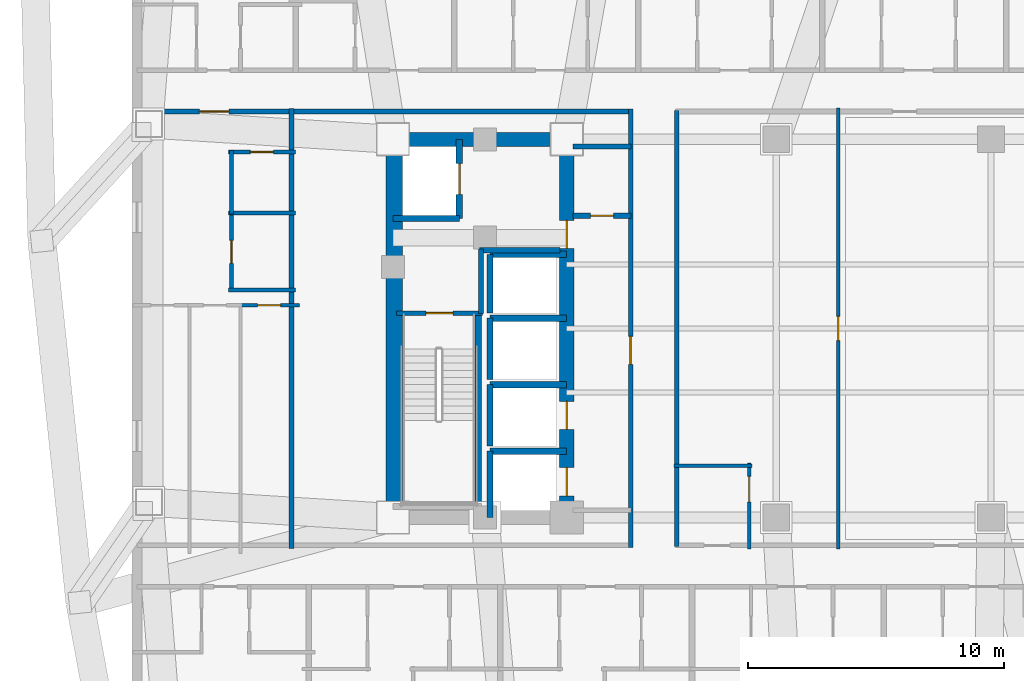
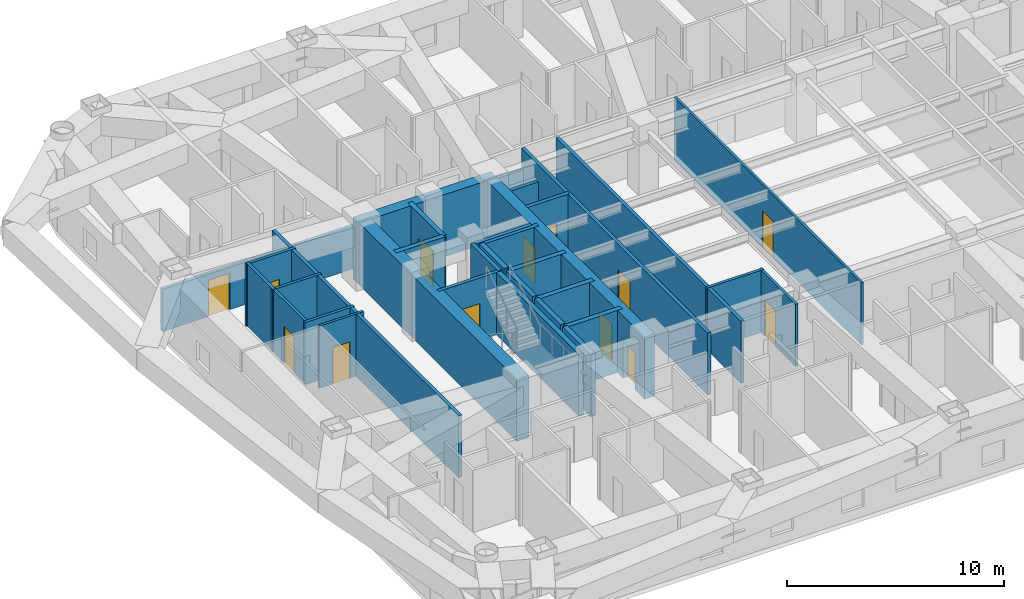
# One storey, part 5 of 14: 32 walls, 13 doors, 13 openings.
"""IFC4 building model written with IfcOpenShell, lengths in metres."""

from ifc_helpers import new_model, si_unit, direction, frame, frame_2d, origin, place, context, subcontext, project, spatial, rectangle, extrude, material, layer, layer_set, type_object, element, fill, save


model = new_model("IFC4")

# Units and contexts
model_context = context("Model", 3, precision=1e-05, world=origin(), true_north=direction((0.0, 1.0)))
body_context = subcontext(model_context, "Body", "Model", "MODEL_VIEW")
ifc_project = project(units=[si_unit("LENGTHUNIT", "METRE"), si_unit("AREAUNIT", "SQUARE_METRE"), si_unit("VOLUMEUNIT", "CUBIC_METRE"), si_unit("PLANEANGLEUNIT", "RADIAN"), si_unit("MASSUNIT", "GRAM", prefix="KILO")], contexts=[model_context])

# Site, building, storey
site_placement = place(None, origin())
site = spatial("IfcSite", under=ifc_project, at=site_placement, CompositionType="ELEMENT")
building_placement = place(site_placement, origin())
building = spatial("IfcBuilding", under=site, at=building_placement, Name="Voryun Gate Residences", CompositionType="ELEMENT")
storey_placement = place(building_placement, frame((0.0, 0.0, 136.5)))
storey = spatial("IfcBuildingStorey", under=building, at=storey_placement, Name="L33", CompositionType="ELEMENT", Elevation=136.5)

# Wall
ifc_material_1 = material(Name="Concrete C60/75", Category="concrete")
ifc_layer_1 = layer(ifc_material_1, 0.550048828125, Name="CW_CORE_550")
ifc_layer_set_1 = layer_set([ifc_layer_1], Name="Concrete C60/75")
wall_type_1 = type_object("IfcWallType", Name="CW_CORE_550", PredefinedType="SHEAR", material=ifc_layer_set_1)
wall_1_placement = place(storey_placement, frame((-19.47509765625, 7.39990234375, 0.0), z_axis=(0.0, 0.0, 1.0), x_axis=(1.0, 0.0, 0.0)))
element("IfcWall", 1, at=wall_1_placement, inside=storey, type_object=wall_type_1, Name="L33 Core shear wall CW-L33-WN", PredefinedType="SHEAR", context=body_context, shape_type="SweptSolid", body=[
    extrude(rectangle(XDim=7.35009765625, YDim=0.550048828125, at=frame_2d((3.675048828125, 0.0))), origin(), (0.0, 0.0, 1.0), 3.5),
])

# Wall, openings, doors
wall_2_placement = place(storey_placement, frame((-12.39990234375, -7.39990234375, 0.0), z_axis=(0.0, 0.0, 1.0), x_axis=(0.0, 1.0, 0.0)))
wall_2 = element("IfcWall", 2, at=wall_2_placement, inside=storey, type_object=wall_type_1, Name="L33 Core shear wall CW-L33-WE", PredefinedType="SHEAR", context=body_context, shape_type="SweptSolid", body=[
    extrude(rectangle(XDim=14.7998046875, YDim=0.550048828125, at=frame_2d((7.39990234375, 0.0))), origin(), (0.0, 0.0, 1.0), 3.5),
])
opening_1_placement = place(wall_2_placement, frame((0.85009765625, 0.0, 0.0)))
opening_1 = element("IfcOpeningElement", 3, at=opening_1_placement, cuts=wall_2, Name="Opening LD2", PredefinedType="OPENING", context=body_context, shape_type="SweptSolid", body=[
    extrude(rectangle(XDim=1.10009765625, YDim=2.050048828125, at=frame_2d((0.550048828125, 1.02490234375))), frame((0.0, 0.284912109375, 0.0), z_axis=(0.0, -1.0, 0.0), x_axis=(1.0, 0.0, 0.0)), (0.0, 0.0, 1.0), 0.570068359375),
])
opening_2_placement = place(wall_2_placement, frame((3.449951171875, 0.0, 0.0)))
opening_2 = element("IfcOpeningElement", 4, at=opening_2_placement, cuts=wall_2, Name="Opening LD2", PredefinedType="OPENING", context=body_context, shape_type="SweptSolid", body=[
    extrude(rectangle(XDim=1.10009765625, YDim=2.050048828125, at=frame_2d((0.550048828125, 1.02490234375))), frame((0.0, 0.284912109375, 0.0), z_axis=(0.0, -1.0, 0.0), x_axis=(1.0, 0.0, 0.0)), (0.0, 0.0, 1.0), 0.570068359375),
])
opening_3_placement = place(wall_2_placement, frame((10.530029296875, 0.0, 0.0)))
opening_3 = element("IfcOpeningElement", 5, at=opening_3_placement, cuts=wall_2, Name="Opening D-FD60-2", PredefinedType="OPENING", context=body_context, shape_type="SweptSolid", body=[
    extrude(rectangle(XDim=1.10009765625, YDim=2.050048828125, at=frame_2d((0.550048828125, 1.02490234375))), frame((0.0, 0.284912109375, 0.0), z_axis=(0.0, -1.0, 0.0), x_axis=(1.0, 0.0, 0.0)), (0.0, 0.0, 1.0), 0.570068359375),
])
ifc_material_2 = material(Name="Painted steel fire door", Category="steel")
door_type_1 = type_object("IfcDoorType", Name="DR_FD60_FFLOB_1100", OperationType="NOTDEFINED", PredefinedType="DOOR", material=ifc_material_2)
door_1_placement = place(opening_3_placement, origin())
door_1 = element("IfcDoor", 6, at=door_1_placement, inside=storey, type_object=door_type_1, Name="Door DR-L33-CLOB-W", OperationType="SINGLE_SWING_LEFT", OverallHeight=2.050048828125, OverallWidth=1.10009765625, PredefinedType="DOOR", context=body_context, shape_type="SweptSolid", body=[
    extrude(rectangle(XDim=1.10009765625, YDim=2.050048828125, at=frame_2d((0.550048828125, 1.02490234375))), frame((0.0, 0.02490234375, 0.0), z_axis=(0.0, -1.0, 0.0), x_axis=(1.0, 0.0, 0.0)), (0.0, 0.0, 1.0), 0.050048828125),
])
fill(opening_3, door_1)
ifc_material_3 = material(Name="Anodised aluminium", Category="aluminium")
door_type_2 = type_object("IfcDoorType", Name="DR_LD_PASS_1100", OperationType="NOTDEFINED", PredefinedType="DOOR", material=ifc_material_3)
door_2_placement = place(opening_1_placement, origin())
door_2 = element("IfcDoor", 7, at=door_2_placement, inside=storey, type_object=door_type_2, Name="Lift EL-P1 sliding landing door L33", OperationType="SLIDING_TO_LEFT", OverallHeight=2.050048828125, OverallWidth=1.10009765625, PredefinedType="DOOR", context=body_context, shape_type="SweptSolid", body=[
    extrude(rectangle(XDim=1.10009765625, YDim=2.050048828125, at=frame_2d((0.550048828125, 1.02490234375))), frame((0.0, 0.02490234375, 0.0), z_axis=(0.0, -1.0, 0.0), x_axis=(1.0, 0.0, 0.0)), (0.0, 0.0, 1.0), 0.050048828125),
])
fill(opening_1, door_2)
door_3_placement = place(opening_2_placement, origin())
door_3 = element("IfcDoor", 8, at=door_3_placement, inside=storey, type_object=door_type_2, Name="Lift EL-P2 sliding landing door L33", OperationType="SLIDING_TO_LEFT", OverallHeight=2.050048828125, OverallWidth=1.10009765625, PredefinedType="DOOR", context=body_context, shape_type="SweptSolid", body=[
    extrude(rectangle(XDim=1.10009765625, YDim=2.050048828125, at=frame_2d((0.550048828125, 1.02490234375))), frame((0.0, 0.02490234375, 0.0), z_axis=(0.0, -1.0, 0.0), x_axis=(1.0, 0.0, 0.0)), (0.0, 0.0, 1.0), 0.050048828125),
])
fill(opening_2, door_3)

# Wall
ifc_material_4 = material(Name="Concrete C60/75", Category="concrete")
ifc_layer_2 = layer(ifc_material_4, 0.64990234375, Name="CW_CORE_650")
ifc_layer_set_2 = layer_set([ifc_layer_2], Name="Concrete C60/75")
wall_type_2 = type_object("IfcWallType", Name="CW_CORE_650", PredefinedType="SHEAR", material=ifc_layer_set_2)
wall_3_placement = place(storey_placement, frame((-19.14501953125, -7.39990234375, 0.0), z_axis=(0.0, 0.0, 1.0), x_axis=(0.0, 1.0, 0.0)))
element("IfcWall", 9, at=wall_3_placement, inside=storey, type_object=wall_type_2, Name="L33 Core shear wall CW-L33-WW", PredefinedType="SHEAR", context=body_context, shape_type="SweptSolid", body=[
    extrude(rectangle(XDim=14.7998046875, YDim=0.64990234375, at=frame_2d((7.39990234375, 0.0))), origin(), (0.0, 0.0, 1.0), 3.5),
])

# Wall, opening, door
ifc_material_5 = material(Name="Gypsum acoustic fireboard")
ifc_layer_3 = layer(ifc_material_5, 0.179931640625, Name="W_CORR_RATED_180")
ifc_layer_set_3 = layer_set([ifc_layer_3], Name="Gypsum acoustic fireboard")
wall_type_3 = type_object("IfcWallType", Name="W_CORR_RATED_180", PredefinedType="PARTITIONING", material=ifc_layer_set_3)
wall_4_placement = place(storey_placement, frame((-19.06005859375, 0.60009765625, 0.0), z_axis=(0.0, 0.0, 1.0), x_axis=(1.0, 0.0, 0.0)))
wall_4 = element("IfcWall", 10, at=wall_4_placement, inside=storey, type_object=wall_type_3, Name="Partition wall WP-L33-STV-W", PredefinedType="PARTITIONING", context=body_context, shape_type="SweptSolid", body=[
    extrude(rectangle(XDim=3.360107421875, YDim=0.179931640625, at=frame_2d((1.68017578125, 0.0))), origin(), (0.0, 0.0, 1.0), 3.5),
])
opening_4_placement = place(wall_4_placement, frame((1.155029296875, 0.0, 0.0)))
opening_4 = element("IfcOpeningElement", 11, at=opening_4_placement, cuts=wall_4, Name="Opening D-FD60-1", PredefinedType="OPENING", context=body_context, shape_type="SweptSolid", body=[
    extrude(rectangle(XDim=1.050048828125, YDim=2.050048828125, at=frame_2d((0.52490234375, 1.02490234375))), frame((0.0, 0.099853515625, 0.0), z_axis=(0.0, -1.0, 0.0), x_axis=(1.0, 0.0, 0.0)), (0.0, 0.0, 1.0), 0.199951171875),
])
ifc_material_6 = material(Name="Painted steel fire door", Category="steel")
door_type_3 = type_object("IfcDoorType", Name="DR_FD60_STAIR_1050", OperationType="NOTDEFINED", PredefinedType="DOOR", material=ifc_material_6)
door_4_placement = place(opening_4_placement, origin())
door_4 = element("IfcDoor", 12, at=door_4_placement, inside=storey, type_object=door_type_3, Name="Door DR-L33-ST-W", OperationType="SINGLE_SWING_LEFT", OverallHeight=2.050048828125, OverallWidth=1.050048828125, PredefinedType="DOOR", context=body_context, shape_type="SweptSolid", body=[
    extrude(rectangle(XDim=1.050048828125, YDim=2.050048828125, at=frame_2d((0.52490234375, 1.02490234375))), frame((0.0, 0.02490234375, 0.0), z_axis=(0.0, -1.0, 0.0), x_axis=(1.0, 0.0, 0.0)), (0.0, 0.0, 1.0), 0.050048828125),
])
fill(opening_4, door_4)

# Wall
wall_5_placement = place(storey_placement, frame((-12.14990234375, 7.1201171875, 0.0), z_axis=(0.0, 0.0, 1.0), x_axis=(1.0, 0.0, 0.0)))
element("IfcWall", 13, at=wall_5_placement, inside=storey, type_object=wall_type_3, Name="Partition wall WP-L33-PLBN-W", PredefinedType="PARTITIONING", context=body_context, shape_type="SweptSolid", body=[
    extrude(rectangle(XDim=2.27001953125, YDim=0.179931640625, at=frame_2d((1.135009765625, 0.0))), origin(), (0.0, 0.0, 1.0), 2.5400390625),
])

# Wall, opening, door
wall_6_placement = place(storey_placement, frame((-9.89990234375, -8.580078125, 0.0), z_axis=(0.0, 0.0, 1.0), x_axis=(0.0, 1.0, 0.0)))
wall_6 = element("IfcWall", 14, at=wall_6_placement, inside=storey, type_object=wall_type_3, Name="Partition wall WP-L33-PLBW-FULL", PredefinedType="PARTITIONING", context=body_context, shape_type="SweptSolid", body=[
    extrude(rectangle(XDim=17.16015625, YDim=0.179931640625, at=frame_2d((8.580078125, 0.0))), origin(), (0.0, 0.0, 1.0), 3.5),
])
opening_5_placement = place(wall_6_placement, frame((7.172119140625, 0.0, 0.0)))
opening_5 = element("IfcOpeningElement", 15, at=opening_5_placement, cuts=wall_6, Name="Opening D-FD60-2", PredefinedType="OPENING", context=body_context, shape_type="SweptSolid", body=[
    extrude(rectangle(XDim=1.10009765625, YDim=2.050048828125, at=frame_2d((0.550048828125, 1.02490234375))), frame((0.0, 0.099853515625, 0.0), z_axis=(0.0, -1.0, 0.0), x_axis=(1.0, 0.0, 0.0)), (0.0, 0.0, 1.0), 0.199951171875),
])
door_5_placement = place(opening_5_placement, origin())
door_5 = element("IfcDoor", 16, at=door_5_placement, inside=storey, type_object=door_type_1, Name="Door DR-L33-PLBW-COR", OperationType="SINGLE_SWING_LEFT", OverallHeight=2.050048828125, OverallWidth=1.10009765625, PredefinedType="DOOR", context=body_context, shape_type="SweptSolid", body=[
    extrude(rectangle(XDim=1.10009765625, YDim=2.050048828125, at=frame_2d((0.550048828125, 1.02490234375))), frame((0.0, 0.02490234375, 0.0), z_axis=(0.0, -1.0, 0.0), x_axis=(1.0, 0.0, 0.0)), (0.0, 0.0, 1.0), 0.050048828125),
])
fill(opening_5, door_5)

wall_7_placement = place(storey_placement, frame((-29.2099609375, 8.489990234375, 0.0), z_axis=(0.0, 0.0, 1.0), x_axis=(1.0, 0.0, 0.0)))
wall_7 = element("IfcWall", 17, at=wall_7_placement, inside=storey, type_object=wall_type_3, Name="Partition wall WP-L33-CWING-WN", PredefinedType="PARTITIONING", context=body_context, shape_type="SweptSolid", body=[
    extrude(rectangle(XDim=19.330078125, YDim=0.179931640625, at=frame_2d((9.6650390625, 0.0))), origin(), (0.0, 0.0, 1.0), 2.389892578125),
])
opening_6_placement = place(wall_7_placement, frame((2.4404296875, 0.0, 0.0)))
opening_6 = element("IfcOpeningElement", 18, at=opening_6_placement, cuts=wall_7, Name="Opening D-UNIT-1", PredefinedType="OPENING", context=body_context, shape_type="SweptSolid", body=[
    extrude(rectangle(XDim=1.14990234375, YDim=2.050048828125, at=frame_2d((0.574951171875, 1.02490234375))), frame((0.0, 0.099853515625, 0.0), z_axis=(0.0, -1.0, 0.0), x_axis=(1.0, 0.0, 0.0)), (0.0, 0.0, 1.0), 0.199951171875),
])
ifc_material_7 = material(Name="Armoured timber-clad fire door", Category="wood")
door_type_4 = type_object("IfcDoorType", Name="DR_UNIT_ENTRY_1150", OperationType="NOTDEFINED", PredefinedType="DOOR", material=ifc_material_7)
door_6_placement = place(opening_6_placement, origin())
door_6 = element("IfcDoor", 19, at=door_6_placement, inside=storey, type_object=door_type_4, Name="Door DR-L33-WE1N", OperationType="SINGLE_SWING_LEFT", OverallHeight=2.050048828125, OverallWidth=1.14990234375, PredefinedType="DOOR", context=body_context, shape_type="SweptSolid", body=[
    extrude(rectangle(XDim=1.14990234375, YDim=2.050048828125, at=frame_2d((0.574951171875, 1.02490234375))), frame((0.0, 0.02490234375, 0.0), z_axis=(0.0, -1.0, 0.0), x_axis=(1.0, 0.0, 0.0)), (0.0, 0.0, 1.0), 0.050048828125),
])
fill(opening_6, door_6)

# Walls
wall_8_placement = place(storey_placement, frame((-8.10009765625, -8.530029296875, 0.0), z_axis=(0.0, 0.0, 1.0), x_axis=(0.0, 1.0, 0.0)))
element("IfcWall", 20, at=wall_8_placement, inside=storey, type_object=wall_type_3, Name="Partition wall WP-L33-Z1W", PredefinedType="PARTITIONING", context=body_context, shape_type="SweptSolid", body=[
    extrude(rectangle(XDim=17.06005859375, YDim=0.179931640625, at=frame_2d((8.530029296875, 0.0))), origin(), (0.0, 0.0, 1.0), 3.5),
])
wall_9_placement = place(storey_placement, frame((-23.169921875, -8.610107421875, 0.0), z_axis=(0.0, 0.0, 1.0), x_axis=(0.0, 1.0, 0.0)))
element("IfcWall", 21, at=wall_9_placement, inside=storey, type_object=wall_type_3, Name="Partition wall WP-L33-WCOR", PredefinedType="PARTITIONING", context=body_context, shape_type="SweptSolid", body=[
    extrude(rectangle(XDim=17.22021484375, YDim=0.179931640625, at=frame_2d((8.610107421875, 0.0))), origin(), (0.0, 0.0, 1.0), 3.5),
])
ifc_material_8 = material(Name="Concrete C40/50", Category="concrete")
ifc_layer_4 = layer(ifc_material_8, 0.199951171875, Name="W_FF_LOBBY_200")
ifc_layer_set_4 = layer_set([ifc_layer_4], Name="Concrete C40/50")
wall_type_4 = type_object("IfcWallType", Name="W_FF_LOBBY_200", PredefinedType="PARTITIONING", material=ifc_layer_set_4)
wall_10_placement = place(storey_placement, frame((-15.760009765625, 0.580078125, 0.0), z_axis=(0.0, 0.0, 1.0), x_axis=(0.0, 1.0, 0.0)))
element("IfcWall", 22, at=wall_10_placement, inside=storey, type_object=wall_type_4, Name="Partition wall WP-L33-FFP0-W", PredefinedType="PARTITIONING", context=body_context, shape_type="SweptSolid", body=[
    extrude(rectangle(XDim=2.52001953125, YDim=0.199951171875, at=frame_2d((1.260009765625, 0.0))), origin(), (0.0, 0.0, 1.0), 3.5),
])
wall_11_placement = place(storey_placement, frame((-15.820068359375, 3.06005859375, 0.0), z_axis=(0.0, 0.0, 1.0), x_axis=(1.0, 0.0, 0.0)))
element("IfcWall", 23, at=wall_11_placement, inside=storey, type_object=wall_type_4, Name="Partition wall WP-L33-FFPS-W", PredefinedType="PARTITIONING", context=body_context, shape_type="SweptSolid", body=[
    extrude(rectangle(XDim=3.16015625, YDim=0.199951171875, at=frame_2d((1.580078125, 0.0))), origin(), (0.0, 0.0, 1.0), 3.5),
])

# Wall, opening, door
wall_12_placement = place(storey_placement, frame((-12.14990234375, 4.409912109375, 0.0), z_axis=(0.0, 0.0, 1.0), x_axis=(1.0, 0.0, 0.0)))
wall_12 = element("IfcWall", 24, at=wall_12_placement, inside=storey, type_object=wall_type_4, Name="Partition wall WP-L33-CSFLKS-W", PredefinedType="PARTITIONING", context=body_context, shape_type="SweptSolid", body=[
    extrude(rectangle(XDim=2.27001953125, YDim=0.199951171875, at=frame_2d((1.135009765625, 0.0))), origin(), (0.0, 0.0, 1.0), 3.5),
])
opening_7_placement = place(wall_12_placement, frame((0.68505859375, 0.0, 0.0)))
opening_7 = element("IfcOpeningElement", 25, at=opening_7_placement, cuts=wall_12, Name="Opening D-FD60-4", PredefinedType="OPENING", context=body_context, shape_type="SweptSolid", body=[
    extrude(rectangle(XDim=0.89990234375, YDim=2.050048828125, at=frame_2d((0.449951171875, 1.02490234375))), frame((0.0, 0.110107421875, 0.0), z_axis=(0.0, -1.0, 0.0), x_axis=(1.0, 0.0, 0.0)), (0.0, 0.0, 1.0), 0.219970703125),
])
ifc_material_9 = material(Name="Painted steel fire door", Category="steel")
door_type_5 = type_object("IfcDoorType", Name="DR_FD60_RISER_900", OperationType="NOTDEFINED", PredefinedType="DOOR", material=ifc_material_9)
door_7_placement = place(opening_7_placement, origin())
door_7 = element("IfcDoor", 26, at=door_7_placement, inside=storey, type_object=door_type_5, Name="Door DR-L33-CSFLK-W", OperationType="SINGLE_SWING_LEFT", OverallHeight=2.050048828125, OverallWidth=0.89990234375, PredefinedType="DOOR", context=body_context, shape_type="SweptSolid", body=[
    extrude(rectangle(XDim=0.89990234375, YDim=2.050048828125, at=frame_2d((0.449951171875, 1.02490234375))), frame((0.0, 0.02490234375, 0.0), z_axis=(0.0, -1.0, 0.0), x_axis=(1.0, 0.0, 0.0)), (0.0, 0.0, 1.0), 0.050048828125),
])
fill(opening_7, door_7)

# Walls
ifc_material_10 = material(Name="Concrete C50/60", Category="concrete")
ifc_layer_5 = layer(ifc_material_10, 0.25, Name="W_SHAFT_RC250")
ifc_layer_set_5 = layer_set([ifc_layer_5], Name="Concrete C50/60")
wall_type_5 = type_object("IfcWallType", Name="W_SHAFT_RC250", PredefinedType="SOLIDWALL", material=ifc_layer_set_5)
wall_13_placement = place(storey_placement, frame((-15.860107421875, -7.0849609375, 0.0), z_axis=(0.0, 0.0, 1.0), x_axis=(0.0, 1.0, 0.0)))
element("IfcWall", 27, at=wall_13_placement, inside=storey, type_object=wall_type_5, Name="L33 Stair shaft structural wall W-STR", PredefinedType="SOLIDWALL", context=body_context, shape_type="SweptSolid", body=[
    extrude(rectangle(XDim=7.68505859375, YDim=0.25, at=frame_2d((3.842529296875, 0.0))), origin(), (0.0, 0.0, 1.0), 3.5),
])
wall_14_placement = place(storey_placement, frame((-19.199951171875, 4.300048828125, 0.0), z_axis=(0.0, 0.0, 1.0), x_axis=(1.0, 0.0, 0.0)))
element("IfcWall", 28, at=wall_14_placement, inside=storey, type_object=wall_type_5, Name="Lift shaft wall WSH-L33-EL-FF-W1-S", PredefinedType="SOLIDWALL", context=body_context, shape_type="SweptSolid", body=[
    extrude(rectangle(XDim=2.599853515625, YDim=0.25, at=frame_2d((1.2998046875, 0.0))), origin(), (0.0, 0.0, 1.0), 3.5),
])

# Wall, opening, door
wall_15_placement = place(storey_placement, frame((-16.60009765625, 4.300048828125, 0.0), z_axis=(0.0, 0.0, 1.0), x_axis=(0.0, 1.0, 0.0)))
wall_15 = element("IfcWall", 29, at=wall_15_placement, inside=storey, type_object=wall_type_5, Name="Lift shaft wall WSH-L33-EL-FF-W1-E", PredefinedType="SOLIDWALL", context=body_context, shape_type="SweptSolid", body=[
    extrude(rectangle(XDim=3.099853515625, YDim=0.25, at=frame_2d((1.5498046875, 0.0))), origin(), (0.0, 0.0, 1.0), 3.5),
])
opening_8_placement = place(wall_15_placement, frame((0.949951171875, 0.0, 0.0)))
opening_8 = element("IfcOpeningElement", 30, at=opening_8_placement, cuts=wall_15, Name="Opening LD1", PredefinedType="OPENING", context=body_context, shape_type="SweptSolid", body=[
    extrude(rectangle(XDim=1.199951171875, YDim=2.050048828125, at=frame_2d((0.60009765625, 1.02490234375))), frame((0.0, 0.135009765625, 0.0), z_axis=(0.0, -1.0, 0.0), x_axis=(1.0, 0.0, 0.0)), (0.0, 0.0, 1.0), 0.27001953125),
])
ifc_material_11 = material(Name="Anodised aluminium", Category="aluminium")
door_type_6 = type_object("IfcDoorType", Name="DR_LD_FF_1200", OperationType="NOTDEFINED", PredefinedType="DOOR", material=ifc_material_11)
door_8_placement = place(opening_8_placement, origin())
door_8 = element("IfcDoor", 31, at=door_8_placement, inside=storey, type_object=door_type_6, Name="Lift EL-FF-W1 sliding landing door L33", OperationType="SLIDING_TO_LEFT", OverallHeight=2.050048828125, OverallWidth=1.199951171875, PredefinedType="DOOR", context=body_context, shape_type="SweptSolid", body=[
    extrude(rectangle(XDim=1.199951171875, YDim=2.050048828125, at=frame_2d((0.60009765625, 1.02490234375))), frame((0.0, 0.02490234375, 0.0), z_axis=(0.0, -1.0, 0.0), x_axis=(1.0, 0.0, 0.0)), (0.0, 0.0, 1.0), 0.050048828125),
])
fill(opening_8, door_8)

# Walls
wall_16_placement = place(storey_placement, frame((-12.39990234375, -4.800048828125, 0.0), z_axis=(0.0, 0.0, 1.0), x_axis=(-1.0, 0.0, 0.0)))
element("IfcWall", 32, at=wall_16_placement, inside=storey, type_object=wall_type_5, Name="Lift shaft wall WSH-L33-EL-P1-N", PredefinedType="SOLIDWALL", context=body_context, shape_type="SweptSolid", body=[
    extrude(rectangle(XDim=3.0, YDim=0.25, at=frame_2d((1.5, 0.0))), origin(), (0.0, 0.0, 1.0), 3.5),
])
wall_17_placement = place(storey_placement, frame((-15.39990234375, -4.800048828125, 0.0), z_axis=(0.0, 0.0, 1.0), x_axis=(0.0, -1.0, 0.0)))
element("IfcWall", 33, at=wall_17_placement, inside=storey, type_object=wall_type_5, Name="Lift shaft wall WSH-L33-EL-P1-W", PredefinedType="SOLIDWALL", context=body_context, shape_type="SweptSolid", body=[
    extrude(rectangle(XDim=2.599853515625, YDim=0.25, at=frame_2d((1.2998046875, 0.0))), origin(), (0.0, 0.0, 1.0), 3.5),
])
wall_18_placement = place(storey_placement, frame((-12.39990234375, -2.199951171875, 0.0), z_axis=(0.0, 0.0, 1.0), x_axis=(-1.0, 0.0, 0.0)))
element("IfcWall", 34, at=wall_18_placement, inside=storey, type_object=wall_type_5, Name="Lift shaft wall WSH-L33-EL-P2-N", PredefinedType="SOLIDWALL", context=body_context, shape_type="SweptSolid", body=[
    extrude(rectangle(XDim=3.0, YDim=0.25, at=frame_2d((1.5, 0.0))), origin(), (0.0, 0.0, 1.0), 3.5),
])
wall_19_placement = place(storey_placement, frame((-15.39990234375, -2.199951171875, 0.0), z_axis=(0.0, 0.0, 1.0), x_axis=(0.0, -1.0, 0.0)))
element("IfcWall", 35, at=wall_19_placement, inside=storey, type_object=wall_type_5, Name="Lift shaft wall WSH-L33-EL-P2-W", PredefinedType="SOLIDWALL", context=body_context, shape_type="SweptSolid", body=[
    extrude(rectangle(XDim=2.400146484375, YDim=0.25, at=frame_2d((1.2001953125, 0.0))), origin(), (0.0, 0.0, 1.0), 3.5),
])
wall_20_placement = place(storey_placement, frame((-12.39990234375, 0.39990234375, 0.0), z_axis=(0.0, 0.0, 1.0), x_axis=(-1.0, 0.0, 0.0)))
element("IfcWall", 36, at=wall_20_placement, inside=storey, type_object=wall_type_5, Name="Lift shaft wall WSH-L33-EL-P4-N", PredefinedType="SOLIDWALL", context=body_context, shape_type="SweptSolid", body=[
    extrude(rectangle(XDim=3.0, YDim=0.25, at=frame_2d((1.5, 0.0))), origin(), (0.0, 0.0, 1.0), 3.5),
])
wall_21_placement = place(storey_placement, frame((-15.39990234375, 0.39990234375, 0.0), z_axis=(0.0, 0.0, 1.0), x_axis=(0.0, -1.0, 0.0)))
element("IfcWall", 37, at=wall_21_placement, inside=storey, type_object=wall_type_5, Name="Lift shaft wall WSH-L33-EL-P4-W", PredefinedType="SOLIDWALL", context=body_context, shape_type="SweptSolid", body=[
    extrude(rectangle(XDim=2.39990234375, YDim=0.25, at=frame_2d((1.199951171875, 0.0))), origin(), (0.0, 0.0, 1.0), 3.5),
])
wall_22_placement = place(storey_placement, frame((-12.39990234375, 2.89990234375, 0.0), z_axis=(0.0, 0.0, 1.0), x_axis=(-1.0, 0.0, 0.0)))
element("IfcWall", 38, at=wall_22_placement, inside=storey, type_object=wall_type_5, Name="Lift shaft wall WSH-L33-EL-P7-N", PredefinedType="SOLIDWALL", context=body_context, shape_type="SweptSolid", body=[
    extrude(rectangle(XDim=3.0, YDim=0.25, at=frame_2d((1.5, 0.0))), origin(), (0.0, 0.0, 1.0), 3.5),
])
wall_23_placement = place(storey_placement, frame((-15.39990234375, 2.89990234375, 0.0), z_axis=(0.0, 0.0, 1.0), x_axis=(0.0, -1.0, 0.0)))
element("IfcWall", 39, at=wall_23_placement, inside=storey, type_object=wall_type_5, Name="Lift shaft wall WSH-L33-EL-P7-W", PredefinedType="SOLIDWALL", context=body_context, shape_type="SweptSolid", body=[
    extrude(rectangle(XDim=2.2998046875, YDim=0.25, at=frame_2d((1.14990234375, 0.0))), origin(), (0.0, 0.0, 1.0), 3.5),
])

# Wall, opening, door
ifc_material_12 = material(Name="Gypsum acoustic partition")
ifc_layer_6 = layer(ifc_material_12, 0.125, Name="W_UNIT_PART_125")
ifc_layer_set_6 = layer_set([ifc_layer_6], Name="Gypsum acoustic partition")
wall_type_6 = type_object("IfcWallType", Name="W_UNIT_PART_125", PredefinedType="PARTITIONING", material=ifc_layer_set_6)
wall_24_placement = place(storey_placement, frame((-1.77294921875, -8.6201171875, 0.0), z_axis=(0.0, 0.0, 1.0), x_axis=(0.0, 1.0, 0.0)))
wall_24 = element("IfcWall", 40, at=wall_24_placement, inside=storey, type_object=wall_type_6, Name="Partition wall WP-L33-MIDX-0", PredefinedType="PARTITIONING", context=body_context, shape_type="SweptSolid", body=[
    extrude(rectangle(XDim=17.240234375, YDim=0.125, at=frame_2d((8.6201171875, 0.0))), origin(), (0.0, 0.0, 1.0), 3.5),
])
opening_9_placement = place(wall_24_placement, frame((8.14501953125, 0.0, 0.0)))
opening_9 = element("IfcOpeningElement", 41, at=opening_9_placement, cuts=wall_24, Name="Opening D-INT-1", PredefinedType="OPENING", context=body_context, shape_type="SweptSolid", body=[
    extrude(rectangle(XDim=0.949951171875, YDim=2.050048828125, at=frame_2d((0.47509765625, 1.02490234375))), frame((0.0, 0.072509765625, 0.0), z_axis=(0.0, -1.0, 0.0), x_axis=(1.0, 0.0, 0.0)), (0.0, 0.0, 1.0), 0.14501953125),
])
ifc_material_13 = material(Name="Architectural oak veneer")
door_type_7 = type_object("IfcDoorType", Name="DR_INT_ROOM_950", OperationType="NOTDEFINED", PredefinedType="DOOR", material=ifc_material_13)
door_9_placement = place(opening_9_placement, origin())
door_9 = element("IfcDoor", 42, at=door_9_placement, inside=storey, type_object=door_type_7, Name="Door DR-L33-MIDX-0", OperationType="SINGLE_SWING_LEFT", OverallHeight=2.050048828125, OverallWidth=0.949951171875, PredefinedType="DOOR", context=body_context, shape_type="SweptSolid", body=[
    extrude(rectangle(XDim=0.949951171875, YDim=2.050048828125, at=frame_2d((0.47509765625, 1.02490234375))), frame((0.0, 0.02490234375, 0.0), z_axis=(0.0, -1.0, 0.0), x_axis=(1.0, 0.0, 0.0)), (0.0, 0.0, 1.0), 0.050048828125),
])
fill(opening_9, door_9)

wall_25_placement = place(storey_placement, frame((-25.228515625, 0.909912109375, 0.0), z_axis=(0.0, 0.0, 1.0), x_axis=(1.0, 0.0, 0.0)))
wall_25 = element("IfcWall", 43, at=wall_25_placement, inside=storey, type_object=wall_type_6, Name="Partition wall WP-L33-W1-HZMB3", PredefinedType="PARTITIONING", context=body_context, shape_type="SweptSolid", body=[
    extrude(rectangle(XDim=2.37841796875, YDim=0.125, at=frame_2d((1.189208984375, 0.0))), origin(), (0.0, 0.0, 1.0), 3.5),
])
opening_10_placement = place(wall_25_placement, frame((0.73046875, 0.0, 0.0)))
opening_10 = element("IfcOpeningElement", 44, at=opening_10_placement, cuts=wall_25, Name="Opening D-INT-2", PredefinedType="OPENING", context=body_context, shape_type="SweptSolid", body=[
    extrude(rectangle(XDim=0.89990234375, YDim=2.050048828125, at=frame_2d((0.449951171875, 1.02490234375))), frame((0.0, 0.072509765625, 0.0), z_axis=(0.0, -1.0, 0.0), x_axis=(1.0, 0.0, 0.0)), (0.0, 0.0, 1.0), 0.14501953125),
])
ifc_material_14 = material(Name="Architectural oak veneer")
door_type_8 = type_object("IfcDoorType", Name="DR_INT_BATH_900", OperationType="NOTDEFINED", PredefinedType="DOOR", material=ifc_material_14)
door_10_placement = place(opening_10_placement, origin())
door_10 = element("IfcDoor", 45, at=door_10_placement, inside=storey, type_object=door_type_8, Name="Door DR-L33-W1-DBD3", OperationType="SINGLE_SWING_LEFT", OverallHeight=2.050048828125, OverallWidth=0.89990234375, PredefinedType="DOOR", context=body_context, shape_type="SweptSolid", body=[
    extrude(rectangle(XDim=0.89990234375, YDim=2.050048828125, at=frame_2d((0.449951171875, 1.02490234375))), frame((0.0, 0.02490234375, 0.0), z_axis=(0.0, -1.0, 0.0), x_axis=(1.0, 0.0, 0.0)), (0.0, 0.0, 1.0), 0.050048828125),
])
fill(opening_10, door_10)

ifc_material_15 = material(Name="Gypsum moisture-resistant partition")
ifc_layer_7 = layer(ifc_material_15, 0.14990234375, Name="W_WET_PLUMB_150")
ifc_layer_set_7 = layer_set([ifc_layer_7], Name="Gypsum moisture-resistant partition")
wall_type_7 = type_object("IfcWallType", Name="W_WET_PLUMB_150", PredefinedType="PLUMBINGWALL", material=ifc_layer_set_7)
wall_26_placement = place(storey_placement, frame((-5.260009765625, -8.6201171875, 0.0), z_axis=(0.0, 0.0, 1.0), x_axis=(0.0, 1.0, 0.0)))
wall_26 = element("IfcWall", 46, at=wall_26_placement, inside=storey, type_object=wall_type_7, Name="Partition wall WP-L33-CMWCX", PredefinedType="PLUMBINGWALL", context=body_context, shape_type="SweptSolid", body=[
    extrude(rectangle(XDim=3.35009765625, YDim=0.14990234375, at=frame_2d((1.675048828125, 0.0))), origin(), (0.0, 0.0, 1.0), 3.5),
])
opening_11_placement = place(wall_26_placement, frame((1.8349609375, 0.0, 0.0)))
opening_11 = element("IfcOpeningElement", 47, at=opening_11_placement, cuts=wall_26, Name="Opening D-AWC-1", PredefinedType="OPENING", context=body_context, shape_type="SweptSolid", body=[
    extrude(rectangle(XDim=1.0, YDim=2.050048828125, at=frame_2d((0.5, 1.02490234375))), frame((0.0, 0.0849609375, 0.0), z_axis=(0.0, -1.0, 0.0), x_axis=(1.0, 0.0, 0.0)), (0.0, 0.0, 1.0), 0.169921875),
])
ifc_material_16 = material(Name="Architectural oak veneer")
door_type_9 = type_object("IfcDoorType", Name="DR_ACC_WC_1000", OperationType="NOTDEFINED", PredefinedType="DOOR", material=ifc_material_16)
door_11_placement = place(opening_11_placement, origin())
door_11 = element("IfcDoor", 48, at=door_11_placement, inside=storey, type_object=door_type_9, Name="Door DR-L33-CMWC", OperationType="SINGLE_SWING_LEFT", OverallHeight=2.050048828125, OverallWidth=1.0, PredefinedType="DOOR", context=body_context, shape_type="SweptSolid", body=[
    extrude(rectangle(XDim=1.0, YDim=2.050048828125, at=frame_2d((0.5, 1.02490234375))), frame((0.0, 0.02490234375, 0.0), z_axis=(0.0, -1.0, 0.0), x_axis=(1.0, 0.0, 0.0)), (0.0, 0.0, 1.0), 0.050048828125),
])
fill(opening_11, door_11)

# Wall
wall_27_placement = place(storey_placement, frame((-8.2099609375, -5.3701171875, 0.0), z_axis=(0.0, 0.0, 1.0), x_axis=(1.0, 0.0, 0.0)))
element("IfcWall", 49, at=wall_27_placement, inside=storey, type_object=wall_type_7, Name="Partition wall WP-L33-CMWCY", PredefinedType="PLUMBINGWALL", context=body_context, shape_type="SweptSolid", body=[
    extrude(rectangle(XDim=3.050048828125, YDim=0.14990234375, at=frame_2d((1.52490234375, 0.0))), origin(), (0.0, 0.0, 1.0), 3.5),
])

# Wall, opening, door
wall_28_placement = place(storey_placement, frame((-25.639892578125, 6.89990234375, 0.0), z_axis=(0.0, 0.0, 1.0), x_axis=(1.0, 0.0, 0.0)))
wall_28 = element("IfcWall", 50, at=wall_28_placement, inside=storey, type_object=wall_type_7, Name="Partition wall WP-L33-W1-IBT", PredefinedType="PLUMBINGWALL", context=body_context, shape_type="SweptSolid", body=[
    extrude(rectangle(XDim=2.619873046875, YDim=0.14990234375, at=frame_2d((1.31005859375, 0.0))), origin(), (0.0, 0.0, 1.0), 3.5),
])
opening_12_placement = place(wall_28_placement, frame((0.860107421875, 0.0, 0.0)))
opening_12 = element("IfcOpeningElement", 51, at=opening_12_placement, cuts=wall_28, Name="Opening D-INT-2", PredefinedType="OPENING", context=body_context, shape_type="SweptSolid", body=[
    extrude(rectangle(XDim=0.89990234375, YDim=2.050048828125, at=frame_2d((0.449951171875, 1.02490234375))), frame((0.0, 0.0849609375, 0.0), z_axis=(0.0, -1.0, 0.0), x_axis=(1.0, 0.0, 0.0)), (0.0, 0.0, 1.0), 0.169921875),
])
door_12_placement = place(opening_12_placement, origin())
door_12 = element("IfcDoor", 52, at=door_12_placement, inside=storey, type_object=door_type_8, Name="Door DR-L33-W1-DK", OperationType="SINGLE_SWING_LEFT", OverallHeight=2.050048828125, OverallWidth=0.89990234375, PredefinedType="DOOR", context=body_context, shape_type="SweptSolid", body=[
    extrude(rectangle(XDim=0.89990234375, YDim=2.050048828125, at=frame_2d((0.449951171875, 1.02490234375))), frame((0.0, 0.02490234375, 0.0), z_axis=(0.0, -1.0, 0.0), x_axis=(1.0, 0.0, 0.0)), (0.0, 0.0, 1.0), 0.050048828125),
])
fill(opening_12, door_12)

# Walls
for number, where, z_axis, x_axis, name in (
    (53, (-25.639892578125, 4.52001953125, 0.0), (0.0, 0.0, 1.0), (1.0, 0.0, 0.0), "Partition wall WP-L33-W1-IKB"),
    (54, (-25.639892578125, 1.5, 0.0), (0.0, 0.0, 1.0), (1.0, 0.0, 0.0), "Partition wall WP-L33-W1-IBB"),
):
    element("IfcWall", number, at=place(storey_placement, frame(where, z_axis=z_axis, x_axis=x_axis)), inside=storey, type_object=wall_type_7, Name=name, PredefinedType="PLUMBINGWALL", context=body_context, shape_type="SweptSolid", body=[
        extrude(rectangle(XDim=2.619873046875, YDim=0.14990234375, at=frame_2d((1.31005859375, 0.0))), origin(), (0.0, 0.0, 1.0), 3.5),
    ])

# Wall, opening, door
wall_29_placement = place(storey_placement, frame((-25.52001953125, 1.43994140625, 0.0), z_axis=(0.0, 0.0, 1.0), x_axis=(0.0, 1.0, 0.0)))
wall_29 = element("IfcWall", 55, at=wall_29_placement, inside=storey, type_object=wall_type_7, Name="Partition wall WP-L33-W1-VTSK1", PredefinedType="PLUMBINGWALL", context=body_context, shape_type="SweptSolid", body=[
    extrude(rectangle(XDim=3.1201171875, YDim=0.14990234375, at=frame_2d((1.56005859375, 0.0))), origin(), (0.0, 0.0, 1.0), 3.5),
])
opening_13_placement = place(wall_29_placement, frame((1.110107421875, 0.0, 0.0)))
opening_13 = element("IfcOpeningElement", 56, at=opening_13_placement, cuts=wall_29, Name="Opening D-INT-2", PredefinedType="OPENING", context=body_context, shape_type="SweptSolid", body=[
    extrude(rectangle(XDim=0.89990234375, YDim=2.050048828125, at=frame_2d((0.449951171875, 1.02490234375))), frame((0.0, 0.0849609375, 0.0), z_axis=(0.0, -1.0, 0.0), x_axis=(1.0, 0.0, 0.0)), (0.0, 0.0, 1.0), 0.169921875),
])
door_13_placement = place(opening_13_placement, origin())
door_13 = element("IfcDoor", 57, at=door_13_placement, inside=storey, type_object=door_type_8, Name="Door DR-L33-W1-DB", OperationType="SINGLE_SWING_RIGHT", OverallHeight=2.050048828125, OverallWidth=0.89990234375, PredefinedType="DOOR", context=body_context, shape_type="SweptSolid", body=[
    extrude(rectangle(XDim=0.89990234375, YDim=2.050048828125, at=frame_2d((0.449951171875, 1.02490234375))), frame((0.0, 0.02490234375, 0.0), z_axis=(0.0, -1.0, 0.0), x_axis=(1.0, 0.0, 0.0)), (0.0, 0.0, 1.0), 0.050048828125),
])
fill(opening_13, door_13)

# Wall
wall_30_placement = place(storey_placement, frame((-25.52001953125, 4.47998046875, 0.0), z_axis=(0.0, 0.0, 1.0), x_axis=(0.0, 1.0, 0.0)))
element("IfcWall", 58, at=wall_30_placement, inside=storey, type_object=wall_type_7, Name="Partition wall WP-L33-W1-VTSK2", PredefinedType="PLUMBINGWALL", context=body_context, shape_type="SweptSolid", body=[
    extrude(rectangle(XDim=2.47998046875, YDim=0.14990234375, at=frame_2d((1.239990234375, 0.0))), origin(), (0.0, 0.0, 1.0), 3.5),
])

save(model, "model.ifc")
